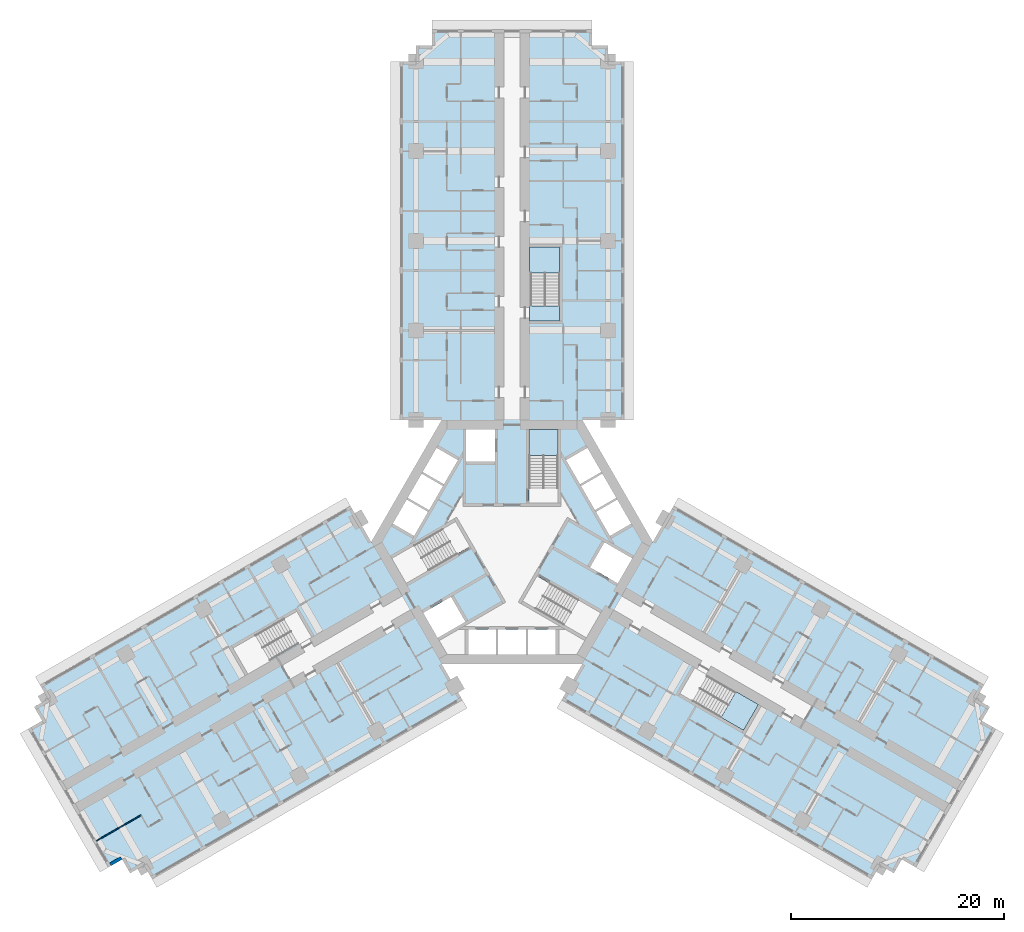
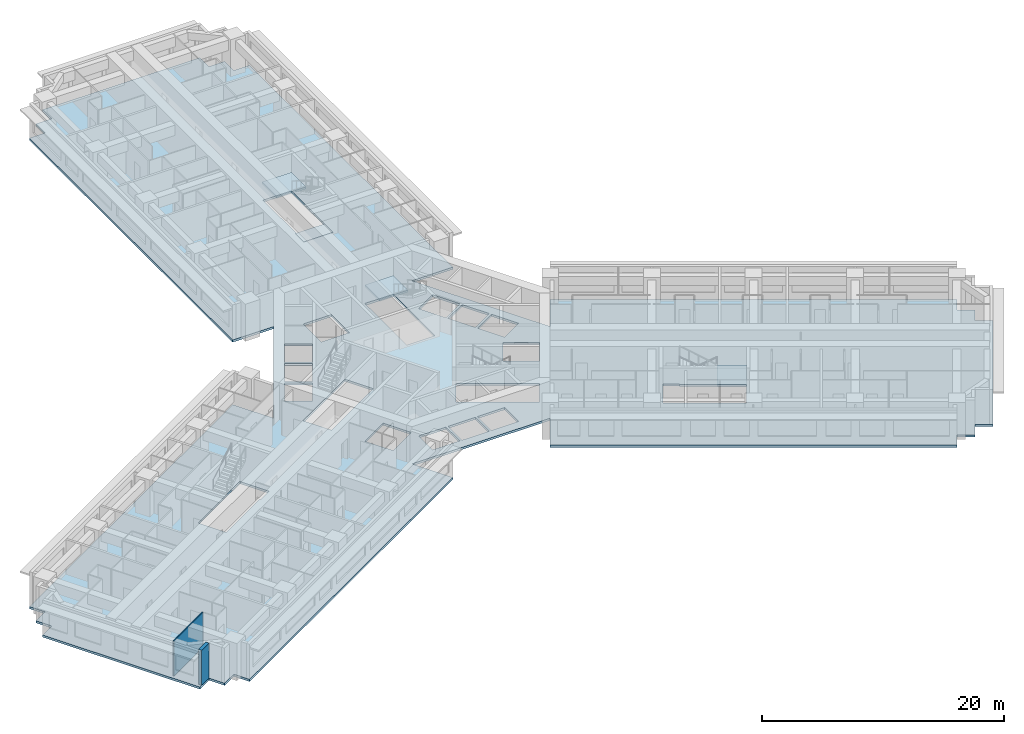
# One storey, part 2 of 16: 5 slabs, 2 walls, 3 elements without a shape of their own.
"""IFC4 building model written with IfcOpenShell, lengths in metres."""

from ifc_helpers import new_model, si_unit, direction, frame, frame_2d, origin, place, context, subcontext, project, spatial, polyline, rectangle, outline, extrude, material, layer, layer_set, type_object, element, aggregate, save


model = new_model("IFC4")

# Units and contexts
model_context = context("Model", 3, precision=1e-05, world=origin(), true_north=direction((0.0, 1.0)))
body_context = subcontext(model_context, "Body", "Model", "MODEL_VIEW")
ifc_project = project(units=[si_unit("LENGTHUNIT", "METRE"), si_unit("AREAUNIT", "SQUARE_METRE"), si_unit("VOLUMEUNIT", "CUBIC_METRE"), si_unit("PLANEANGLEUNIT", "RADIAN"), si_unit("MASSUNIT", "GRAM", prefix="KILO")], contexts=[model_context])

# Site, building, storey
site_placement = place(None, origin())
site = spatial("IfcSite", under=ifc_project, at=site_placement, CompositionType="ELEMENT")
building_placement = place(site_placement, origin())
building = spatial("IfcBuilding", under=site, at=building_placement, Name="Impinga Residences", CompositionType="ELEMENT")
storey_placement = place(building_placement, frame((0.0, 0.0, 59.75)))
storey = spatial("IfcBuildingStorey", under=building, at=storey_placement, Name="L14", CompositionType="ELEMENT", Elevation=59.75)

# Slab
ifc_material_1 = material(Name="Concrete C60/75", Category="concrete")
ifc_layer_1 = layer(ifc_material_1, 0.219970703125)
ifc_layer_set_1 = layer_set([ifc_layer_1], Name="Concrete C60/75")
slab_type_1 = type_object("IfcSlabType", Name="FS1 tower floor slab 220", PredefinedType="FLOOR", material=ifc_layer_set_1)
slab_1_placement = place(storey_placement, frame((0.0, 0.0, -0.219970703125)))
element("IfcSlab", 1, at=slab_1_placement, inside=storey, type_object=slab_type_1, Name="Floor slab FS1 L14", PredefinedType="FLOOR", context=body_context, shape_type="SweptSolid", body=[
    extrude(outline(polyline([(-34.49853515625, -30.31005859375), (-35.797607421875, -31.06005859375), (-36.547607421875, -29.760986328125), (-37.846435546875, -30.510986328125), (-45.346435546875, -17.5205078125), (-44.047607421875, -16.7705078125), (-44.797607421875, -15.471435546875), (-43.49853515625, -14.721435546875), (-44.24853515625, -13.422607421875), (-15.14990234375, 3.37744140625), (-13.199951171875, 0.0), (-6.60009765625, 11.431640625), (-10.5, 11.431640625), (-10.5, 45.031494140625), (-9.0, 45.031494140625), (-9.0, 46.531494140625), (-7.5, 46.531494140625), (-7.5, 48.031494140625), (7.5, 48.031494140625), (7.5, 46.531494140625), (9.0, 46.531494140625), (9.0, 45.031494140625), (10.5, 45.031494140625), (10.5, 11.431640625), (6.60009765625, 11.431640625), (13.199951171875, 0.0), (15.14990234375, 3.37744140625), (44.24853515625, -13.422607421875), (43.49853515625, -14.721435546875), (44.797607421875, -15.471435546875), (44.047607421875, -16.7705078125), (45.346435546875, -17.5205078125), (37.846435546875, -30.510986328125), (36.547607421875, -29.760986328125), (35.797607421875, -31.06005859375), (34.49853515625, -30.31005859375), (33.74853515625, -31.609130859375), (4.64990234375, -14.80908203125), (9.900146484375, -5.7158203125), (6.60009765625, -11.431640625), (-6.60009765625, -11.431640625), (-9.900146484375, -5.7158203125), (-4.64990234375, -14.80908203125), (-33.74853515625, -31.609130859375), (-34.49853515625, -30.31005859375)]), holes=[polyline([(-21.391357421875, -7.2119140625), (-26.154541015625, -9.9619140625), (-24.8046875, -12.30029296875), (-20.04150390625, -9.55029296875), (-19.991455078125, -9.63671875), (-18.779052734375, -8.936767578125), (-18.8291015625, -8.850341796875), (-18.8291015625, -8.850341796875), (-20.178955078125, -6.511962890625), (-21.391357421875, -7.2119140625), (-21.391357421875, -7.2119140625)]), polyline([(-1.5, -8.2314453125), (-4.10009765625, -8.2314453125), (-4.10009765625, -10.531494140625), (-1.5, -10.531494140625), (-1.5, -8.2314453125)]), polyline([(1.300048828125, -8.2314453125), (-1.300048828125, -8.2314453125), (-1.300048828125, -10.531494140625), (1.300048828125, -10.531494140625), (1.300048828125, -8.2314453125)]), polyline([(1.5, -8.2314453125), (1.5, -10.531494140625), (4.10009765625, -10.531494140625), (4.10009765625, -8.2314453125), (1.5, -8.2314453125)]), polyline([(-5.72119140625, -5.150634765625), (-8.320556640625, -6.6513671875), (-6.970458984375, -8.98974609375), (-4.37109375, -7.489013671875), (-5.72119140625, -5.150634765625)]), polyline([(-3.943603515625, -0.429443359375), (-5.293701171875, 1.908935546875), (-11.2705078125, -1.541748046875), (-9.920654296875, -3.880126953125), (-3.943603515625, -0.429443359375)]), polyline([(-9.1787109375, 0.56494140625), (-7.878662109375, 2.816650390625), (-9.87060546875, 3.966796875), (-11.170654296875, 1.715087890625), (-9.1787109375, 0.56494140625)]), polyline([(-6.478759765625, 5.24169921875), (-8.470458984375, 6.3916015625), (-9.7705078125, 4.139892578125), (-7.77880859375, 2.989990234375), (-6.478759765625, 5.24169921875)]), polyline([(-6.378662109375, 5.414794921875), (-5.07861328125, 7.66650390625), (-7.070556640625, 8.81640625), (-8.37060546875, 6.564697265625), (-6.378662109375, 5.414794921875)]), polyline([(-4.300048828125, 7.530029296875), (-1.60009765625, 7.530029296875), (-1.60009765625, 10.531494140625), (-4.300048828125, 10.531494140625), (-4.300048828125, 7.530029296875)]), polyline([(15.72900390625, -14.219482421875), (21.70458984375, -17.669677734375), (23.0546875, -15.331298828125), (18.29150390625, -12.581298828125), (18.341552734375, -12.49462890625), (17.129150390625, -11.794677734375), (15.72900390625, -14.219482421875)]), polyline([(0.99365234375, -5.538818359375), (6.970458984375, -8.98974609375), (8.320556640625, -6.6513671875), (2.34375, -3.20068359375), (0.99365234375, -5.538818359375)]), polyline([(8.671142578125, -0.041015625), (7.3212890625, -2.37939453125), (9.920654296875, -3.880126953125), (11.2705078125, -1.541748046875), (8.671142578125, -0.041015625)]), polyline([(7.878662109375, 2.816650390625), (9.1787109375, 0.56494140625), (11.170654296875, 1.715087890625), (9.87060546875, 3.966796875), (7.878662109375, 2.816650390625)]), polyline([(7.77880859375, 2.989990234375), (9.7705078125, 4.139892578125), (8.470458984375, 6.3916015625), (6.478759765625, 5.24169921875), (7.77880859375, 2.989990234375)]), polyline([(1.60009765625, 3.6298828125), (4.300048828125, 3.6298828125), (4.300048828125, 10.531494140625), (1.60009765625, 10.531494140625), (1.60009765625, 3.6298828125)]), polyline([(5.07861328125, 7.66650390625), (6.378662109375, 5.414794921875), (8.37060546875, 6.564697265625), (7.070556640625, 8.81640625), (5.07861328125, 7.66650390625)]), polyline([(1.75, 22.131591796875), (1.64990234375, 22.131591796875), (1.64990234375, 20.7314453125), (1.75, 20.7314453125), (4.449951171875, 20.7314453125), (4.449951171875, 22.131591796875), (4.449951171875, 27.631591796875), (1.75, 27.631591796875), (1.75, 22.131591796875)])]), origin(), (0.0, 0.0, 1.0), 0.219970703125),
])

# Stair, slab
ifc_material_2 = material(Name="Concrete C40/50", Category="concrete")
stair_type_1 = type_object("IfcStairType", Name="STR core stair 3750 storey, 24 risers", PredefinedType="HALF_TURN_STAIR", material=ifc_material_2)
stair_1_placement = place(storey_placement, origin())
stair_1 = element("IfcStair", 2, at=stair_1_placement, inside=storey, type_object=stair_type_1, Name="Stair ST1 L14", PredefinedType="HALF_TURN_STAIR")
ifc_layer_2 = layer(ifc_material_2, 0.199951171875)
ifc_layer_set_2 = layer_set([ifc_layer_2], Name="Concrete C40/50")
slab_type_2 = type_object("IfcSlabType", Name="LS1 stair landing 200", PredefinedType="LANDING", material=ifc_layer_set_2)
slab_2_placement = place(storey_placement, frame((0.0, 0.0, 1.675048828125)))
slab_2 = element("IfcSlab", 3, at=slab_2_placement, type_object=slab_type_2, Name="ST1 landing 2", PredefinedType="LANDING", context=body_context, shape_type="SweptSolid", body=[
    extrude(outline(polyline([(1.60009765625, 8.10009765625), (4.300048828125, 8.10009765625), (4.300048828125, 10.531494140625), (1.60009765625, 10.531494140625), (1.60009765625, 8.10009765625)])), origin(), (0.0, 0.0, 1.0), 0.199951171875),
])
aggregate(stair_1, [slab_2])

# Stair, slabs
stair_type_2 = type_object("IfcStairType", Name="STR wing stair 3750 storey, 24 risers", PredefinedType="HALF_TURN_STAIR", material=ifc_material_2)
stair_2_placement = place(storey_placement, origin())
stair_2 = element("IfcStair", 4, at=stair_2_placement, inside=storey, type_object=stair_type_2, Name="Stair WS1 L14", PredefinedType="HALF_TURN_STAIR")
slab_3_placement = place(storey_placement, frame((0.0, 0.0, -0.199951171875)))
slab_3 = element("IfcSlab", 5, at=slab_3_placement, type_object=slab_type_2, Name="WS1 landing 1", PredefinedType="LANDING", context=body_context, shape_type="SweptSolid", body=[
    extrude(outline(polyline([(1.64990234375, 20.7314453125), (4.449951171875, 20.7314453125), (4.449951171875, 22.1416015625), (1.64990234375, 22.1416015625), (1.64990234375, 20.7314453125)])), origin(), (0.0, 0.0, 1.0), 0.199951171875),
])
slab_4_placement = place(storey_placement, frame((0.0, 0.0, 1.675048828125)))
slab_4 = element("IfcSlab", 6, at=slab_4_placement, type_object=slab_type_2, Name="WS1 landing 2", PredefinedType="LANDING", context=body_context, shape_type="SweptSolid", body=[
    extrude(outline(polyline([(1.64990234375, 25.201416015625), (4.449951171875, 25.201416015625), (4.449951171875, 27.631591796875), (1.64990234375, 27.631591796875), (1.64990234375, 25.201416015625)])), origin(), (0.0, 0.0, 1.0), 0.199951171875),
])
aggregate(stair_2, [slab_3, slab_4])

# Stair, slab
stair_3_placement = place(storey_placement, origin())
stair_3 = element("IfcStair", 7, at=stair_3_placement, inside=storey, type_object=stair_type_2, Name="Stair WS3 L14", PredefinedType="HALF_TURN_STAIR")
slab_5_placement = place(storey_placement, frame((0.0, 0.0, 1.675048828125)))
slab_5 = element("IfcSlab", 8, at=slab_5_placement, type_object=slab_type_2, Name="WS3 landing 2", PredefinedType="LANDING", context=body_context, shape_type="SweptSolid", body=[
    extrude(outline(polyline([(21.000244140625, -14.02978515625), (19.60009765625, -16.45458984375), (21.70458984375, -17.669677734375), (23.1044921875, -15.24462890625), (21.000244140625, -14.02978515625)])), origin(), (0.0, 0.0, 1.0), 0.199951171875),
])
aggregate(stair_3, [slab_5])

# Walls
ifc_material_3 = material(Name="Terracotta rainscreen on blockwork", Category="masonry")
ifc_layer_3 = layer(ifc_material_3, 0.300048828125)
ifc_layer_set_3 = layer_set([ifc_layer_3], Name="EW1 external wall, terracotta rainscreen on blockwork 300")
wall_type_1 = type_object("IfcWallType", Name="EW1 external wall, terracotta rainscreen on blockwork 300", PredefinedType="SOLIDWALL", material=ifc_layer_set_3)
wall_1_placement = place(storey_placement, frame((-36.626708984375, -29.633544921875, 0.0), z_axis=(0.0, 0.0, 1.0), x_axis=(-0.866059708757, -0.499940577336, 0.0)))
element("IfcWall", 9, at=wall_1_placement, inside=storey, type_object=wall_type_1, Name="External wall EW1 L14", PredefinedType="SOLIDWALL", context=body_context, shape_type="SweptSolid", body=[
    extrude(rectangle(XDim=1.195068359375, YDim=0.300048828125, at=frame_2d((0.59765625, 0.0))), origin(), (0.0, 0.0, 1.0), 3.530029296875),
])
ifc_material_4 = material(Name="Gypsum board on steel studs", Category="steel")
ifc_layer_4 = layer(ifc_material_4, 0.10009765625)
ifc_layer_set_4 = layer_set([ifc_layer_4], Name="Gypsum board on steel studs")
wall_type_2 = type_object("IfcWallType", Name="IP1 partition 100", PredefinedType="PARTITIONING", material=ifc_layer_set_4)
wall_2_placement = place(storey_placement, frame((-34.77978515625, -25.622802734375, 0.0), z_axis=(0.0, 0.0, 1.0), x_axis=(-0.866037363387, -0.499979284789, 0.0)))
element("IfcWall", 10, at=wall_2_placement, inside=storey, type_object=wall_type_2, Name="Partition L14-WA5:DIV1", PredefinedType="PARTITIONING", context=body_context, shape_type="SweptSolid", body=[
    extrude(rectangle(XDim=4.800048828125, YDim=0.10009765625, at=frame_2d((2.39990234375, 0.0))), origin(), (0.0, 0.0, 1.0), 3.530029296875),
])

save(model, "model.ifc")
